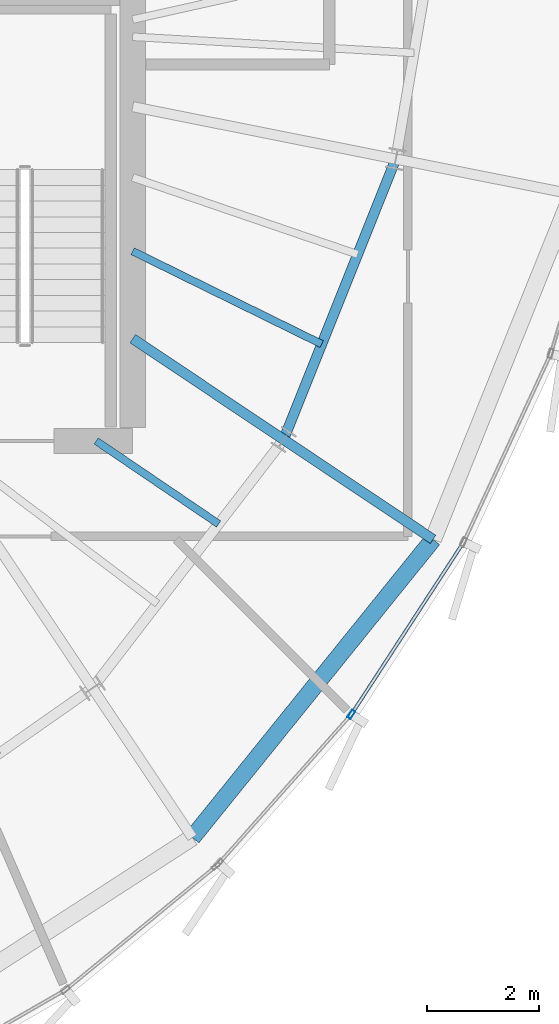
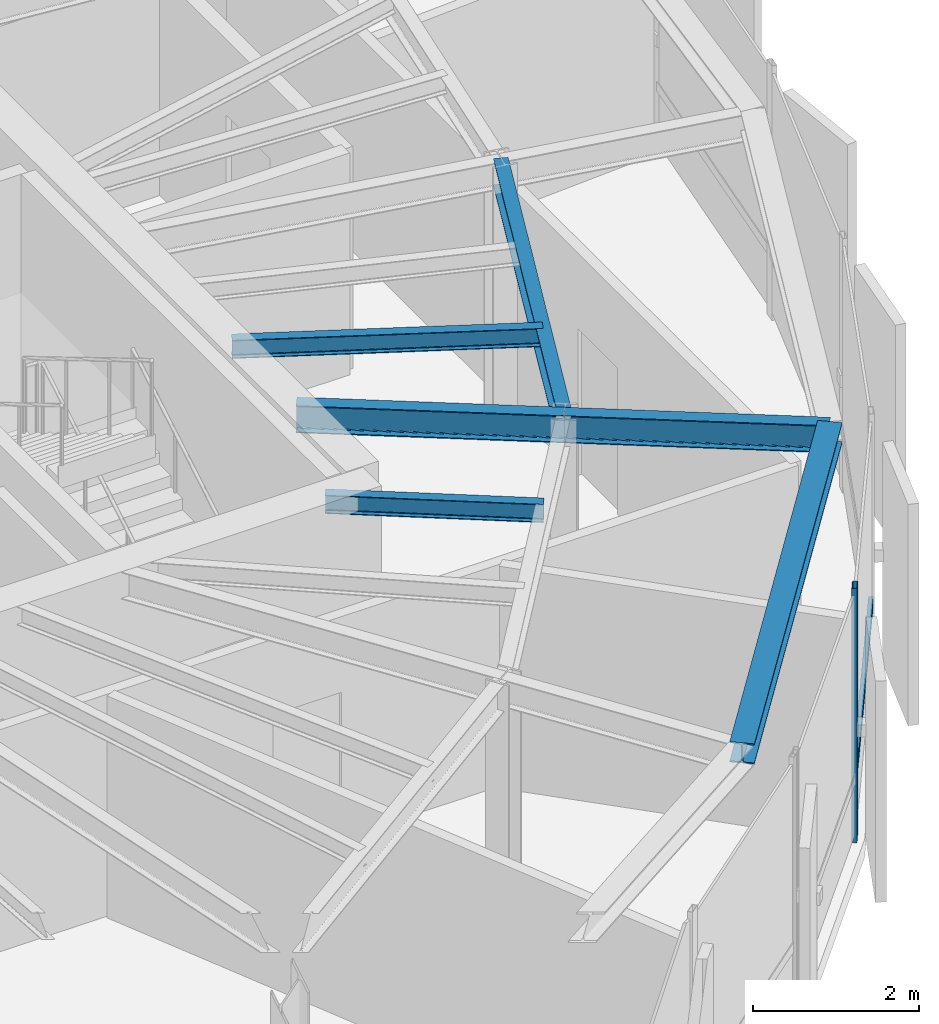
# One storey, part 9 of 27: 6 beams, 2 members, 1 element without a shape of its own.
"""IFC4 building model written with IfcOpenShell, lengths in metres."""

from ifc_helpers import new_model, si_unit, direction, frame, origin, origin_2d, place, context, subcontext, project, spatial, hollow_rectangle, i_section, extrude, source, transform, mapped, material, layer, layer_set, material_profile, profile_set, type_object, element, aggregate, save


model = new_model("IFC4")

# Units and contexts
model_context = context("Model", 3, precision=1e-05, world=origin(), true_north=direction((0.0, 1.0)))
body_context = subcontext(model_context, "Body", "Model", "MODEL_VIEW")
ifc_project = project(units=[si_unit("LENGTHUNIT", "METRE"), si_unit("AREAUNIT", "SQUARE_METRE"), si_unit("VOLUMEUNIT", "CUBIC_METRE"), si_unit("PLANEANGLEUNIT", "RADIAN"), si_unit("MASSUNIT", "GRAM", prefix="KILO"), si_unit("THERMODYNAMICTEMPERATUREUNIT", "KELVIN")], contexts=[model_context])

# Site, building, storey
site_placement = place(None, origin())
site = spatial("IfcSite", under=ifc_project, at=site_placement, CompositionType="ELEMENT")
building_placement = place(site_placement, origin())
building = spatial("IfcBuilding", under=site, at=building_placement, Name="Kethvar Cultural Tower", CompositionType="ELEMENT")
storey_placement = place(building_placement, frame((0.0, 0.0, 312.300048828125)))
storey = spatial("IfcBuildingStorey", under=building, at=storey_placement, Name="L83", CompositionType="ELEMENT", Elevation=312.300048828125)

# Beams
ifc_material_1 = material(Name="Steel S355J2", Category="steel")
ifc_material_profile_1 = material_profile(ifc_material_1, i_section(OverallWidth=0.135009765625, OverallDepth=0.27001953125, WebThickness=0.006591796875, FlangeThickness=0.01025390625, FilletRadius=0.014892578125, at=origin_2d()), Name="Steel S355J2 — IPE270")
ifc_profile_set_1 = profile_set([ifc_material_profile_1], Name="Steel S355J2 — IPE270")
beam_type_1 = type_object("IfcBeamType", Name="BM-J270", PredefinedType="JOIST", material=ifc_profile_set_1)
shared_shape_1 = source(origin(), body_context, "Body", "SweptSolid", [
    extrude(i_section(OverallWidth=0.135009765625, OverallDepth=0.27001953125, WebThickness=0.006591796875, FlangeThickness=0.01025390625, FilletRadius=0.014892578125, at=origin_2d()), origin(), (0.0, 0.0, 1.0), 2.635009765625),
])
beam_1_placement = place(storey_placement, frame((54.949951171875, 20.10009765625, 3.597900390625), z_axis=(0.827446562598, -0.561544464887, 0.0), x_axis=(0.561544464887, 0.827446562598, 0.0)))
element("IfcBeam", 1, at=beam_1_placement, inside=storey, type_object=beam_type_1, Name="L83 Composite Floor Joist J-14B", PredefinedType="JOIST", context=body_context, shape_type="MappedRepresentation", body=[
    mapped(shared_shape_1, transform((0.0, 0.0, 0.0), scale=1.0)),
])
shared_shape_2 = source(origin(), body_context, "Body", "SweptSolid", [
    extrude(i_section(OverallWidth=0.135009765625, OverallDepth=0.27001953125, WebThickness=0.006591796875, FlangeThickness=0.01025390625, FilletRadius=0.014892578125, at=origin_2d()), origin(), (0.0, 0.0, 1.0), 3.75),
])
beam_2_placement = place(storey_placement, frame((55.60009765625, 23.476318359375, 3.597900390625), z_axis=(0.8975046019, -0.441005090184, 0.0), x_axis=(0.441005090184, 0.8975046019, 0.0)))
element("IfcBeam", 2, at=beam_2_placement, inside=storey, type_object=beam_type_1, Name="L83 Composite Floor Joist J-15A", PredefinedType="JOIST", context=body_context, shape_type="MappedRepresentation", body=[
    mapped(shared_shape_2, transform((0.0, 0.0, 0.0), scale=1.0)),
])
ifc_material_profile_2 = material_profile(ifc_material_1, i_section(OverallWidth=0.179931640625, OverallDepth=0.39990234375, WebThickness=0.008544921875, FlangeThickness=0.013427734375, FilletRadius=0.02099609375, at=origin_2d()), Name="Steel S355J2 — IPE400")
ifc_profile_set_2 = profile_set([ifc_material_profile_2], Name="Steel S355J2 — IPE400")
beam_type_2 = type_object("IfcBeamType", Name="BM-IPE400", PredefinedType="BEAM", material=ifc_profile_set_2)
shared_shape_3 = source(origin(), body_context, "Body", "SweptSolid", [
    extrude(i_section(OverallWidth=0.179931640625, OverallDepth=0.39990234375, WebThickness=0.008544921875, FlangeThickness=0.013427734375, FilletRadius=0.02099609375, at=origin_2d()), origin(), (0.0, 0.0, 1.0), 3.199951171875),
])
beam_3_placement = place(storey_placement, frame((58.287109375, 20.12451171875, 3.532958984375), z_axis=(0.831462943996, -0.555580212716, 0.0), x_axis=(0.555580212716, 0.831462943996, 0.0)))
element("IfcBeam", 3, at=beam_3_placement, inside=storey, type_object=beam_type_2, Name="L83 Perimeter Cantilever Beam RC-15", PredefinedType="BEAM", context=body_context, shape_type="MappedRepresentation", body=[
    mapped(shared_shape_3, transform((0.0, 0.0, 0.0), scale=1.0)),
])
shared_shape_4 = source(origin(), body_context, "Body", "SweptSolid", [
    extrude(i_section(OverallWidth=0.179931640625, OverallDepth=0.39990234375, WebThickness=0.008544921875, FlangeThickness=0.013427734375, FilletRadius=0.02099609375, at=origin_2d()), origin(), (0.0, 0.0, 1.0), 3.231689453125),
])
beam_4_placement = place(storey_placement, frame((55.60009765625, 21.919921875, 3.532958984375), z_axis=(0.831468708055, -0.55557158632, 0.0), x_axis=(0.55557158632, 0.831468708055, 0.0)))
element("IfcBeam", 4, at=beam_4_placement, inside=storey, type_object=beam_type_2, Name="L83 Primary Radial Beam RB-15", PredefinedType="BEAM", context=body_context, shape_type="MappedRepresentation", body=[
    mapped(shared_shape_4, transform((0.0, 0.0, 0.0), scale=1.0)),
])
ifc_material_profile_3 = material_profile(ifc_material_1, i_section(OverallWidth=0.300048828125, OverallDepth=0.300048828125, WebThickness=0.010986328125, FlangeThickness=0.01904296875, FilletRadius=0.027099609375, at=origin_2d()), Name="Steel S355J2 — HEB300")
ifc_profile_set_3 = profile_set([ifc_material_profile_3], Name="Steel S355J2 — HEB300")
beam_type_3 = type_object("IfcBeamType", Name="BM-SP300", PredefinedType="SPANDREL", material=ifc_profile_set_3)
shared_shape_5 = source(origin(), body_context, "Body", "SweptSolid", [
    extrude(i_section(OverallWidth=0.300048828125, OverallDepth=0.300048828125, WebThickness=0.010986328125, FlangeThickness=0.01904296875, FilletRadius=0.027099609375, at=origin_2d()), origin(), (0.0, 0.0, 1.0), 6.8212890625),
])
beam_5_placement = place(storey_placement, frame((56.66259765625, 13.039306640625, 3.5830078125), z_axis=(0.628197971595, 0.778053538315, 0.0), x_axis=(-0.778053538315, 0.628197971595, 0.0)))
element("IfcBeam", 5, at=beam_5_placement, inside=storey, type_object=beam_type_3, Name="L83 Perimeter Spandrel Beam SP-14", PredefinedType="SPANDREL", context=body_context, shape_type="MappedRepresentation", body=[
    mapped(shared_shape_5, transform((0.0, 0.0, 0.0), scale=1.0)),
])
shared_shape_6 = source(origin(), body_context, "Body", "SweptSolid", [
    extrude(i_section(OverallWidth=0.179931640625, OverallDepth=0.39990234375, WebThickness=0.008544921875, FlangeThickness=0.013427734375, FilletRadius=0.02099609375, at=origin_2d()), origin(), (0.0, 0.0, 1.0), 5.377685546875),
])
beam_6_placement = place(storey_placement, frame((58.287109375, 20.12451171875, 3.532958984375), z_axis=(0.371265436914, 0.928526776864, 0.0), x_axis=(-0.928526776864, 0.371265436914, 0.0)))
element("IfcBeam", 6, at=beam_6_placement, inside=storey, type_object=beam_type_2, Name="L83 Column Ring Tie Beam CR-15", PredefinedType="BEAM", context=body_context, shape_type="MappedRepresentation", body=[
    mapped(shared_shape_6, transform((0.0, 0.0, 0.0), scale=1.0)),
])

# Curtain wall, members
ifc_material_2 = material(Name="Aluminium 6063-T6", Category="aluminium")
ifc_layer = layer(ifc_material_2, 0.179931640625, Name="Aluminium 6063-T6", Category="aluminium")
ifc_layer_set = layer_set([ifc_layer], Name="Aluminium 6063-T6 (180 mm)")
curtain_wall_type = type_object("IfcCurtainWallType", Name="CW-SYS-06-CROWN", PredefinedType="NOTDEFINED", material=ifc_layer_set)
curtain_wall_placement = place(storey_placement, origin())
curtain_wall = element("IfcCurtainWall", 7, at=curtain_wall_placement, inside=storey, type_object=curtain_wall_type, Name="L83 Curtain Wall Run 05", PredefinedType="NOTDEFINED")
ifc_material_profile_4 = material_profile(ifc_material_2, hollow_rectangle(XDim=0.06494140625, YDim=0.159912109375, WallThickness=0.0048828125, at=origin_2d()), Name="Aluminium 6063-T6 — RHS160x65x5")
ifc_profile_set_4 = profile_set([ifc_material_profile_4], Name="Aluminium 6063-T6 — RHS160x65x5")
member_type_1 = type_object("IfcMemberType", Name="CW-SYS-06-CROWN-MUL", PredefinedType="MULLION", material=ifc_profile_set_4)
shared_shape_7 = source(origin(), body_context, "Body", "SweptSolid", [
    extrude(hollow_rectangle(XDim=0.06494140625, YDim=0.159912109375, WallThickness=0.0048828125, at=origin_2d()), origin(), (0.0, 0.0, 1.0), 3.73486328125),
])
member_1_placement = place(storey_placement, frame((59.493408203125, 15.231201171875, 0.0), z_axis=(0.0, 0.0, 1.0), x_axis=(-0.837823545231, 0.545941120503, 0.0)))
member_1 = element("IfcMember", 8, at=member_1_placement, type_object=member_type_1, Name="CW-L83-R05 Mullion 2", PredefinedType="MULLION", context=body_context, shape_type="MappedRepresentation", body=[
    mapped(shared_shape_7, transform((0.0, 0.0, 0.0), scale=1.0)),
])
ifc_material_profile_5 = material_profile(ifc_material_2, hollow_rectangle(XDim=0.06005859375, YDim=0.139892578125, WallThickness=0.0048828125, at=origin_2d()), Name="Aluminium 6063-T6 — RHS140x60x5")
ifc_profile_set_5 = profile_set([ifc_material_profile_5], Name="Aluminium 6063-T6 — RHS140x60x5")
member_type_2 = type_object("IfcMemberType", Name="CW-SYS-06-CROWN-TRN", PredefinedType="USERDEFINED", material=ifc_profile_set_5)
shared_shape_8 = source(origin(), body_context, "Body", "SweptSolid", [
    extrude(hollow_rectangle(XDim=0.06005859375, YDim=0.139892578125, WallThickness=0.0048828125, at=origin_2d()), origin(), (0.0, 0.0, 1.0), 3.583984375),
])
member_2_placement = place(storey_placement, frame((59.518798828125, 15.2705078125, 0.949951171875), z_axis=(0.545929023605, 0.837831427666, 0.0), x_axis=(-0.837831427666, 0.545929023605, 0.0)))
member_2 = element("IfcMember", 9, at=member_2_placement, type_object=member_type_2, Name="CW-L83-R05 Transom 2", ObjectType="TRANSOM", PredefinedType="USERDEFINED", context=body_context, shape_type="MappedRepresentation", body=[
    mapped(shared_shape_8, transform((0.0, 0.0, 0.0), scale=1.0)),
])
aggregate(curtain_wall, [member_1, member_2])

save(model, "model.ifc")
